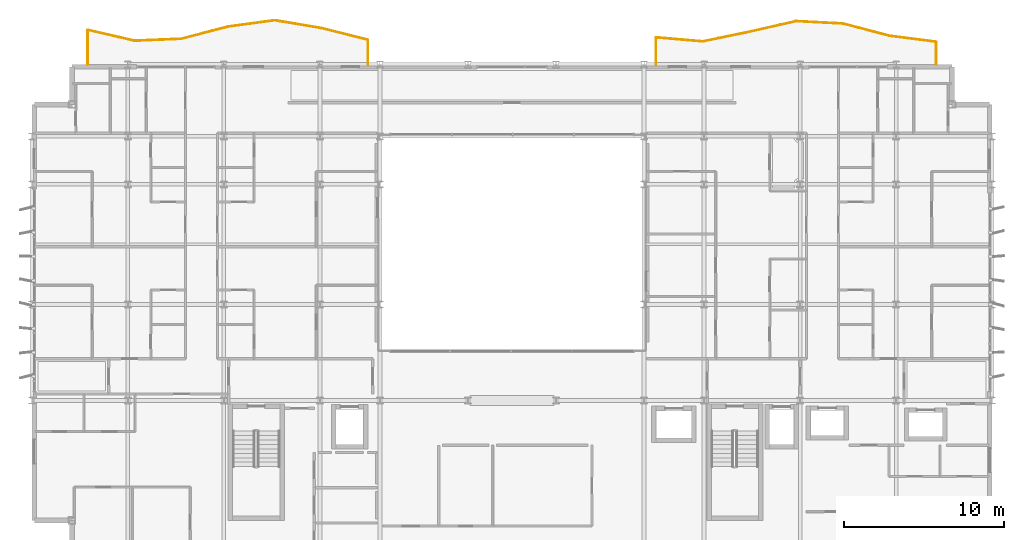
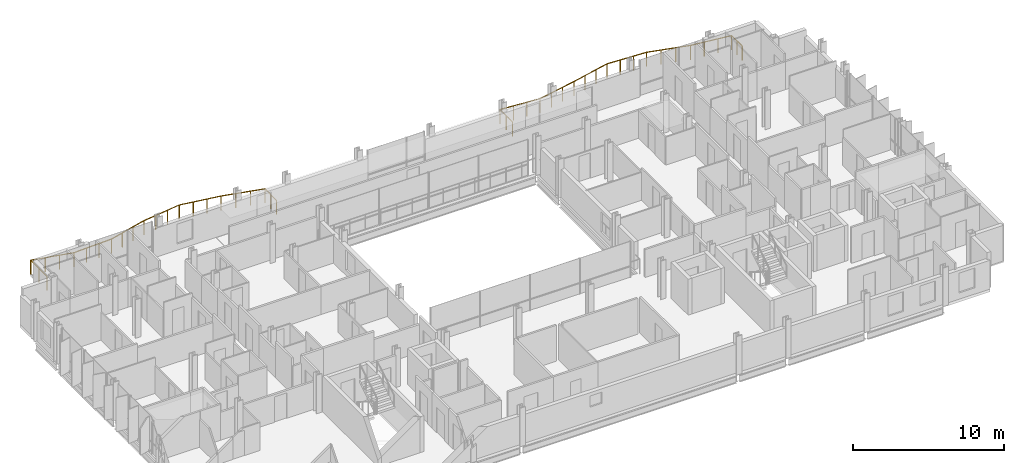
# One storey, part 39 of 39: 2 railings.
"""IFC4 building model written with IfcOpenShell, lengths in metres."""

from ifc_helpers import new_model, si_unit, direction, frame, origin, origin_2d, place, context, subcontext, project, spatial, circle, extrude, material, type_object, element, save


model = new_model("IFC4")

# Units and contexts
model_context = context("Model", 3, precision=1e-05, world=origin(), true_north=direction((0.0, 1.0)))
body_context = subcontext(model_context, "Body", "Model", "MODEL_VIEW")
ifc_project = project(units=[si_unit("LENGTHUNIT", "METRE"), si_unit("AREAUNIT", "SQUARE_METRE"), si_unit("VOLUMEUNIT", "CUBIC_METRE"), si_unit("PLANEANGLEUNIT", "RADIAN"), si_unit("MASSUNIT", "GRAM", prefix="KILO")], contexts=[model_context])

# Site, building, storey
site_placement = place(None, origin())
site = spatial("IfcSite", under=ifc_project, at=site_placement, CompositionType="ELEMENT")
building_placement = place(site_placement, origin())
building = spatial("IfcBuilding", under=site, at=building_placement, Name="Brevholm Reach", CompositionType="ELEMENT")
storey_placement = place(building_placement, frame((0.0, 0.0, 109.699951171875)))
storey = spatial("IfcBuildingStorey", under=building, at=storey_placement, Name="L32", CompositionType="ELEMENT", Elevation=109.699951171875)

# Railings
ifc_material = material(Name="Brushed Stainless Steel EN 1.4401 and Laminated Glass", Category="steel")
railing_type = type_object("IfcRailingType", Name="RAL-BALC-1150", PredefinedType="BALUSTRADE", material=ifc_material)
railing_1_placement = place(storey_placement, frame((56.5, 31.0, 0.0)))
element("IfcRailing", 1, at=railing_1_placement, inside=storey, type_object=railing_type, Name="L32 Guard Balustrade RAL-L32-BAL-NE", PredefinedType="BALUSTRADE", context=body_context, shape_type="SweptSolid", body=[
    extrude(circle(Radius=0.02392578125, at=origin_2d()), frame((0.0, 0.0, 1.1259765625), z_axis=(0.0, 1.0, 0.0), x_axis=(-1.0, 0.0, 0.0)), (0.0, 0.0, 1.0), 1.40380859375),
    extrude(circle(Radius=0.02392578125, at=origin_2d()), frame((0.0, 1.40380859375, 1.1259765625), z_axis=(-0.991825721968, 0.127599910828, 0.0), x_axis=(-0.127599910828, -0.991825721968, 0.0)), (0.0, 0.0, 1.0), 2.940673828125),
    extrude(circle(Radius=0.02392578125, at=origin_2d()), frame((-2.916748046875, 1.779052734375, 1.1259765625), z_axis=(-0.967287116441, 0.253684123205, 0.0), x_axis=(-0.253684123205, -0.967287116441, 0.0)), (0.0, 0.0, 1.0), 3.01513671875),
    extrude(circle(Radius=0.02392578125, at=origin_2d()), frame((-5.833251953125, 2.5439453125, 1.1259765625), z_axis=(-0.998720239463, 0.050575520622, 0.0), x_axis=(-0.050575520622, -0.998720239463, 0.0)), (0.0, 0.0, 1.0), 2.92041015625),
    extrude(circle(Radius=0.02392578125, at=origin_2d()), frame((-8.75, 2.691650390625, 1.1259765625), z_axis=(-0.975066268344, -0.221913884961, 0.0), x_axis=(0.221913884961, -0.975066268344, 0.0)), (0.0, 0.0, 1.0), 2.991455078125),
    extrude(circle(Radius=0.02392578125, at=origin_2d()), frame((-11.666748046875, 2.02783203125, 1.1259765625), z_axis=(-0.979367411888, -0.202087784221, 0.0), x_axis=(0.202087784221, -0.979367411888, 0.0)), (0.0, 0.0, 1.0), 2.97802734375),
    extrude(circle(Radius=0.02392578125, at=origin_2d()), frame((-14.583251953125, 1.426025390625, 1.1259765625), z_axis=(-0.996282713287, 0.086143805376, 0.0), x_axis=(-0.086143805376, -0.996282713287, 0.0)), (0.0, 0.0, 1.0), 2.927734375),
    extrude(circle(Radius=0.02392578125, at=origin_2d()), frame((-17.5, 1.67822265625, 1.1259765625), z_axis=(0.0, -1.0, 0.0), x_axis=(1.0, 0.0, 0.0)), (0.0, 0.0, 1.0), 1.67822265625),
    extrude(circle(Radius=0.02099609375, at=origin_2d()), origin(), (0.0, 0.0, 1.0), 1.101806640625),
    extrude(circle(Radius=0.02099609375, at=origin_2d()), frame((0.0, 0.701904296875, 0.0)), (0.0, 0.0, 1.0), 1.101806640625),
    extrude(circle(Radius=0.02099609375, at=origin_2d()), frame((0.0, 1.40380859375, 0.0)), (0.0, 0.0, 1.0), 1.101806640625),
    extrude(circle(Radius=0.02099609375, at=origin_2d()), frame((-0.97216796875, 1.52880859375, 0.0)), (0.0, 0.0, 1.0), 1.101806640625),
    extrude(circle(Radius=0.02099609375, at=origin_2d()), frame((-1.944580078125, 1.654052734375, 0.0)), (0.0, 0.0, 1.0), 1.101806640625),
    extrude(circle(Radius=0.02099609375, at=origin_2d()), frame((-2.916748046875, 1.779052734375, 0.0)), (0.0, 0.0, 1.0), 1.101806640625),
    extrude(circle(Radius=0.02099609375, at=origin_2d()), frame((-3.888916015625, 2.033935546875, 0.0)), (0.0, 0.0, 1.0), 1.101806640625),
    extrude(circle(Radius=0.02099609375, at=origin_2d()), frame((-4.861083984375, 2.2890625, 0.0)), (0.0, 0.0, 1.0), 1.101806640625),
    extrude(circle(Radius=0.02099609375, at=origin_2d()), frame((-5.833251953125, 2.5439453125, 0.0)), (0.0, 0.0, 1.0), 1.101806640625),
    extrude(circle(Radius=0.02099609375, at=origin_2d()), frame((-6.805419921875, 2.59326171875, 0.0)), (0.0, 0.0, 1.0), 1.101806640625),
    extrude(circle(Radius=0.02099609375, at=origin_2d()), frame((-7.77783203125, 2.642333984375, 0.0)), (0.0, 0.0, 1.0), 1.101806640625),
    extrude(circle(Radius=0.02099609375, at=origin_2d()), frame((-8.75, 2.691650390625, 0.0)), (0.0, 0.0, 1.0), 1.101806640625),
    extrude(circle(Radius=0.02099609375, at=origin_2d()), frame((-9.72216796875, 2.470458984375, 0.0)), (0.0, 0.0, 1.0), 1.101806640625),
    extrude(circle(Radius=0.02099609375, at=origin_2d()), frame((-10.694580078125, 2.2490234375, 0.0)), (0.0, 0.0, 1.0), 1.101806640625),
    extrude(circle(Radius=0.02099609375, at=origin_2d()), frame((-11.666748046875, 2.02783203125, 0.0)), (0.0, 0.0, 1.0), 1.101806640625),
    extrude(circle(Radius=0.02099609375, at=origin_2d()), frame((-12.638916015625, 1.8271484375, 0.0)), (0.0, 0.0, 1.0), 1.101806640625),
    extrude(circle(Radius=0.02099609375, at=origin_2d()), frame((-13.611083984375, 1.626708984375, 0.0)), (0.0, 0.0, 1.0), 1.101806640625),
    extrude(circle(Radius=0.02099609375, at=origin_2d()), frame((-14.583251953125, 1.426025390625, 0.0)), (0.0, 0.0, 1.0), 1.101806640625),
    extrude(circle(Radius=0.02099609375, at=origin_2d()), frame((-15.555419921875, 1.510009765625, 0.0)), (0.0, 0.0, 1.0), 1.101806640625),
    extrude(circle(Radius=0.02099609375, at=origin_2d()), frame((-16.52783203125, 1.59423828125, 0.0)), (0.0, 0.0, 1.0), 1.101806640625),
    extrude(circle(Radius=0.02099609375, at=origin_2d()), frame((-17.5, 1.67822265625, 0.0)), (0.0, 0.0, 1.0), 1.101806640625),
    extrude(circle(Radius=0.02099609375, at=origin_2d()), frame((-17.5, 0.839111328125, 0.0)), (0.0, 0.0, 1.0), 1.101806640625),
    extrude(circle(Radius=0.02099609375, at=origin_2d()), frame((-17.5, 0.0, 0.0)), (0.0, 0.0, 1.0), 1.101806640625),
])
railing_2_placement = place(storey_placement, frame((21.0, 31.0, 0.0)))
element("IfcRailing", 2, at=railing_2_placement, inside=storey, type_object=railing_type, Name="L32 Guard Balustrade RAL-L32-BAL-NW", PredefinedType="BALUSTRADE", context=body_context, shape_type="SweptSolid", body=[
    extrude(circle(Radius=0.02392578125, at=origin_2d()), frame((0.0, 0.0, 1.1259765625), z_axis=(0.0, 1.0, 0.0), x_axis=(-1.0, 0.0, 0.0)), (0.0, 0.0, 1.0), 1.52880859375),
    extrude(circle(Radius=0.02392578125, at=origin_2d()), frame((0.0, 1.52880859375, 1.1259765625), z_axis=(-0.969908046993, 0.243471518618, 0.0), x_axis=(-0.243471518618, -0.969908046993, 0.0)), (0.0, 0.0, 1.0), 3.00732421875),
    extrude(circle(Radius=0.02392578125, at=origin_2d()), frame((-2.916748046875, 2.260986328125, 1.1259765625), z_axis=(-0.986326897089, 0.164800643445, 0.0), x_axis=(-0.164800643445, -0.986326897089, 0.0)), (0.0, 0.0, 1.0), 2.95703125),
    extrude(circle(Radius=0.02392578125, at=origin_2d()), frame((-5.833251953125, 2.748291015625, 1.1259765625), z_axis=(-0.990787222307, -0.135427767141, 0.0), x_axis=(0.135427767141, -0.990787222307, 0.0)), (0.0, 0.0, 1.0), 2.94384765625),
    extrude(circle(Radius=0.02392578125, at=origin_2d()), frame((-8.75, 2.349609375, 1.1259765625), z_axis=(-0.967668860758, -0.252224058961, 0.0), x_axis=(0.252224058961, -0.967668860758, 0.0)), (0.0, 0.0, 1.0), 3.01416015625),
    extrude(circle(Radius=0.02392578125, at=origin_2d()), frame((-11.666748046875, 1.58935546875, 1.1259765625), z_axis=(-0.999139150441, -0.041484431493, 0.0), x_axis=(0.041484431493, -0.999139150441, 0.0)), (0.0, 0.0, 1.0), 2.9189453125),
    extrude(circle(Radius=0.02392578125, at=origin_2d()), frame((-14.583251953125, 1.46826171875, 1.1259765625), z_axis=(-0.974086615793, 0.226175296912, 0.0), x_axis=(-0.226175296912, -0.974086615793, 0.0)), (0.0, 0.0, 1.0), 2.994384765625),
    extrude(circle(Radius=0.02392578125, at=origin_2d()), frame((-17.5, 2.1455078125, 1.1259765625), z_axis=(0.0, -1.0, 0.0), x_axis=(1.0, 0.0, 0.0)), (0.0, 0.0, 1.0), 2.1455078125),
    extrude(circle(Radius=0.02099609375, at=origin_2d()), origin(), (0.0, 0.0, 1.0), 1.101806640625),
    extrude(circle(Radius=0.02099609375, at=origin_2d()), frame((0.0, 0.764404296875, 0.0)), (0.0, 0.0, 1.0), 1.101806640625),
    extrude(circle(Radius=0.02099609375, at=origin_2d()), frame((0.0, 1.52880859375, 0.0)), (0.0, 0.0, 1.0), 1.101806640625),
    extrude(circle(Radius=0.02099609375, at=origin_2d()), frame((-0.97216796875, 1.77294921875, 0.0)), (0.0, 0.0, 1.0), 1.101806640625),
    extrude(circle(Radius=0.02099609375, at=origin_2d()), frame((-1.944580078125, 2.016845703125, 0.0)), (0.0, 0.0, 1.0), 1.101806640625),
    extrude(circle(Radius=0.02099609375, at=origin_2d()), frame((-2.916748046875, 2.260986328125, 0.0)), (0.0, 0.0, 1.0), 1.101806640625),
    extrude(circle(Radius=0.02099609375, at=origin_2d()), frame((-3.888916015625, 2.42333984375, 0.0)), (0.0, 0.0, 1.0), 1.101806640625),
    extrude(circle(Radius=0.02099609375, at=origin_2d()), frame((-4.861083984375, 2.5859375, 0.0)), (0.0, 0.0, 1.0), 1.101806640625),
    extrude(circle(Radius=0.02099609375, at=origin_2d()), frame((-5.833251953125, 2.748291015625, 0.0)), (0.0, 0.0, 1.0), 1.101806640625),
    extrude(circle(Radius=0.02099609375, at=origin_2d()), frame((-6.805419921875, 2.615478515625, 0.0)), (0.0, 0.0, 1.0), 1.101806640625),
    extrude(circle(Radius=0.02099609375, at=origin_2d()), frame((-7.77783203125, 2.482421875, 0.0)), (0.0, 0.0, 1.0), 1.101806640625),
    extrude(circle(Radius=0.02099609375, at=origin_2d()), frame((-8.75, 2.349609375, 0.0)), (0.0, 0.0, 1.0), 1.101806640625),
    extrude(circle(Radius=0.02099609375, at=origin_2d()), frame((-9.72216796875, 2.09619140625, 0.0)), (0.0, 0.0, 1.0), 1.101806640625),
    extrude(circle(Radius=0.02099609375, at=origin_2d()), frame((-10.694580078125, 1.8427734375, 0.0)), (0.0, 0.0, 1.0), 1.101806640625),
    extrude(circle(Radius=0.02099609375, at=origin_2d()), frame((-11.666748046875, 1.58935546875, 0.0)), (0.0, 0.0, 1.0), 1.101806640625),
    extrude(circle(Radius=0.02099609375, at=origin_2d()), frame((-12.638916015625, 1.549072265625, 0.0)), (0.0, 0.0, 1.0), 1.101806640625),
    extrude(circle(Radius=0.02099609375, at=origin_2d()), frame((-13.611083984375, 1.508544921875, 0.0)), (0.0, 0.0, 1.0), 1.101806640625),
    extrude(circle(Radius=0.02099609375, at=origin_2d()), frame((-14.583251953125, 1.46826171875, 0.0)), (0.0, 0.0, 1.0), 1.101806640625),
    extrude(circle(Radius=0.02099609375, at=origin_2d()), frame((-15.555419921875, 1.694091796875, 0.0)), (0.0, 0.0, 1.0), 1.101806640625),
    extrude(circle(Radius=0.02099609375, at=origin_2d()), frame((-16.52783203125, 1.919677734375, 0.0)), (0.0, 0.0, 1.0), 1.101806640625),
    extrude(circle(Radius=0.02099609375, at=origin_2d()), frame((-17.5, 2.1455078125, 0.0)), (0.0, 0.0, 1.0), 1.101806640625),
    extrude(circle(Radius=0.02099609375, at=origin_2d()), frame((-17.5, 1.07275390625, 0.0)), (0.0, 0.0, 1.0), 1.101806640625),
    extrude(circle(Radius=0.02099609375, at=origin_2d()), frame((-17.5, 0.0, 0.0)), (0.0, 0.0, 1.0), 1.101806640625),
])

save(model, "model.ifc")
